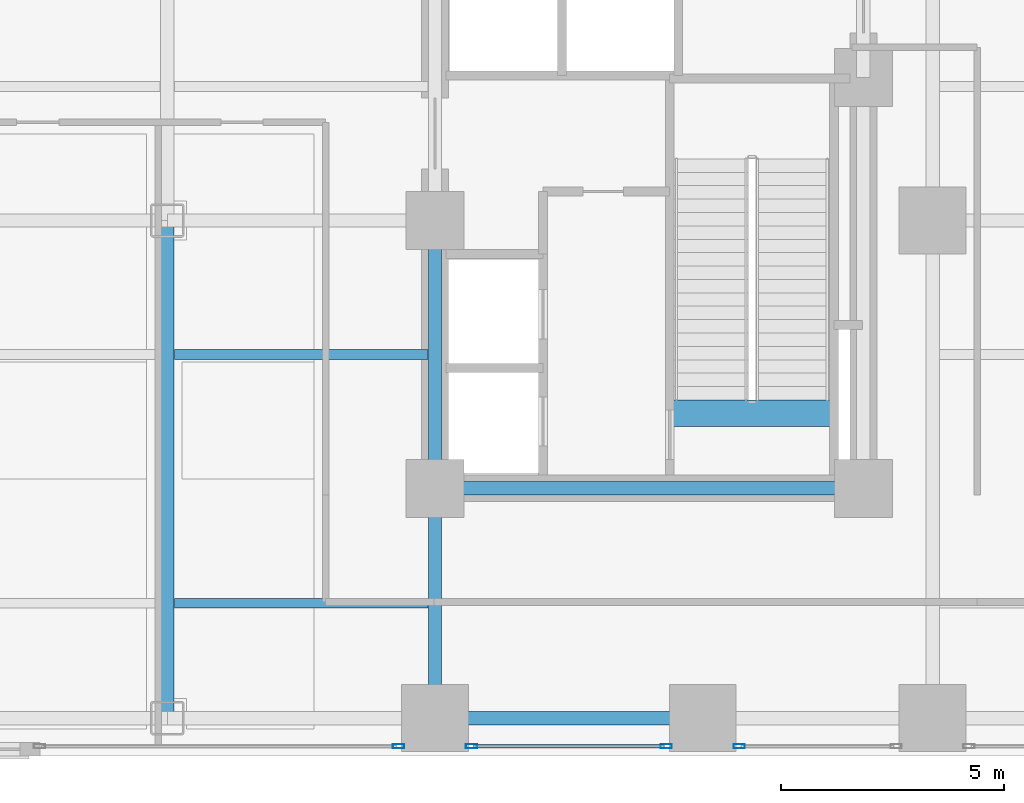
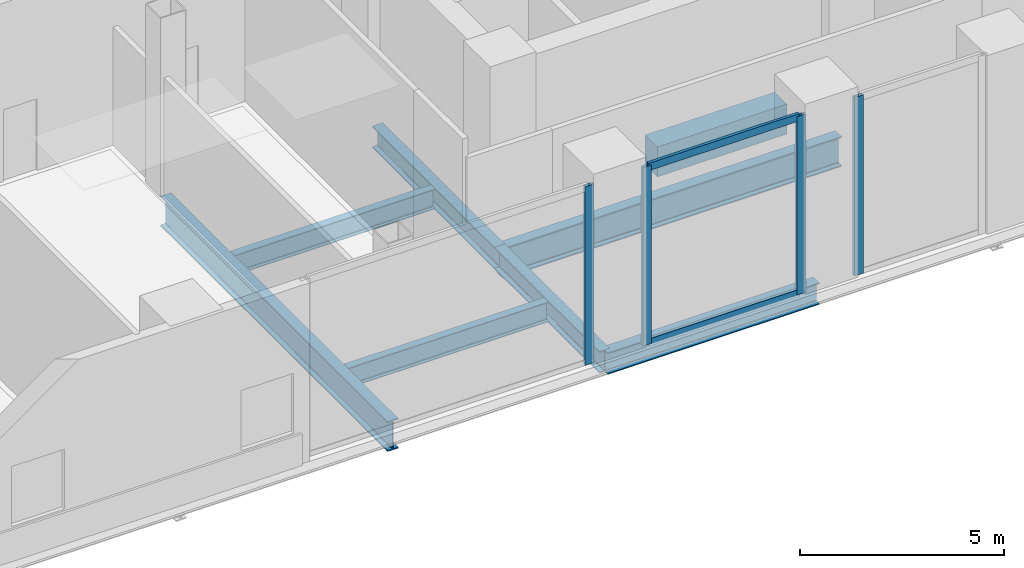
# One storey, part 5 of 27: 8 beams, 6 members, 3 elements without a shape of their own.
"""IFC4 building model written with IfcOpenShell, lengths in metres."""

from ifc_helpers import new_model, si_unit, direction, frame, origin, origin_2d, place, context, subcontext, project, spatial, rectangle, hollow_rectangle, i_section, extrude, material, layer, layer_set, material_profile, profile_set, type_object, element, aggregate, save


model = new_model("IFC4")

# Units and contexts
model_context = context("Model", 3, precision=1e-05, world=origin(), true_north=direction((0.0, 1.0)))
body_context = subcontext(model_context, "Body", "Model", "MODEL_VIEW")
ifc_project = project(units=[si_unit("LENGTHUNIT", "METRE"), si_unit("AREAUNIT", "SQUARE_METRE"), si_unit("VOLUMEUNIT", "CUBIC_METRE"), si_unit("PLANEANGLEUNIT", "RADIAN"), si_unit("MASSUNIT", "GRAM", prefix="KILO"), si_unit("THERMODYNAMICTEMPERATUREUNIT", "KELVIN"), si_unit("POWERUNIT", "WATT")], contexts=[model_context])

# Site, building, storey
site_placement = place(None, origin())
site = spatial("IfcSite", under=ifc_project, at=site_placement, CompositionType="ELEMENT")
building_placement = place(site_placement, origin())
building = spatial("IfcBuilding", under=site, at=building_placement, Name="Svarakhadi Broadcast Tower", CompositionType="ELEMENT")
storey_placement = place(building_placement, frame((0.0, 0.0, 21.89990234375)))
storey = spatial("IfcBuildingStorey", under=building, at=storey_placement, Name="L04", CompositionType="ELEMENT", Elevation=21.89990234375)

# Beams
ifc_material_1 = material(Name="Steel S355J2 (IS 2062 E350C)", Category="steel")
ifc_material_profile_1 = material_profile(ifc_material_1, i_section(OverallWidth=0.219970703125, OverallDepth=0.60009765625, WebThickness=0.011962890625, FlangeThickness=0.01904296875, FilletRadius=0.02392578125, at=origin_2d()), Name="NPB 600x220x122")
ifc_profile_set_1 = profile_set([ifc_material_profile_1], Name="Steel S355J2 (IS 2062 E350C)")
beam_type_1 = type_object("IfcBeamType", Name="Beam_NPB600", PredefinedType="BEAM", material=ifc_profile_set_1)
for number, where, z_axis, x_axis, name in (
    (1, (18.159912109375, 3.425048828125, -0.574951171875), (1.0, 0.0, 0.0), (0.0, 1.0, 0.0), "L04 Secondary Composite Beam SB013"),
    (2, (18.159912109375, 9.0, -0.574951171875), (1.0, 0.0, 0.0), (0.0, 1.0, 0.0), "L04 Secondary Composite Beam SB014"),
):
    element("IfcBeam", number, at=place(storey_placement, frame(where, z_axis=z_axis, x_axis=x_axis)), inside=storey, type_object=beam_type_1, Name=name, PredefinedType="BEAM", context=body_context, shape_type="SweptSolid", body=[
        extrude(i_section(OverallWidth=0.219970703125, OverallDepth=0.60009765625, WebThickness=0.011962890625, FlangeThickness=0.01904296875, FilletRadius=0.02392578125, at=origin_2d()), origin(), (0.0, 0.0, 1.0), 5.68017578125),
    ])

# Curtain wall, member
ifc_material_2 = material(Name="Anodised Bronze Aluminium AA 6063-T6", Category="aluminium")
ifc_layer = layer(ifc_material_2, 0.25)
ifc_layer_set = layer_set([ifc_layer], Name="Anodised Bronze Aluminium AA 6063-T6")
curtain_wall_type = type_object("IfcCurtainWallType", Name="CW_Sys_01", PredefinedType="NOTDEFINED", material=ifc_layer_set)
curtain_wall_1_placement = place(storey_placement, origin())
curtain_wall_1 = element("IfcCurtainWall", 3, at=curtain_wall_1_placement, inside=storey, type_object=curtain_wall_type, Name="L04 South Curtain Wall 11 Bay 3", PredefinedType="NOTDEFINED")
ifc_material_profile_2 = material_profile(ifc_material_2, hollow_rectangle(XDim=0.094970703125, YDim=0.25, WallThickness=0.006103515625, at=origin_2d()), Name="ALU MULLION 250x95x6")
ifc_profile_set_2 = profile_set([ifc_material_profile_2], Name="Anodised Bronze Aluminium AA 6063-T6")
member_type_1 = type_object("IfcMemberType", Name="CW_Sys_01_Mul", PredefinedType="MULLION", material=ifc_profile_set_2)
member_1_placement = place(storey_placement, frame((30.8173828125, 0.219970703125, 0.0), z_axis=(0.0, 0.0, 1.0), x_axis=(0.0, -1.0, 0.0)))
member_1 = element("IfcMember", 4, at=member_1_placement, type_object=member_type_1, Name="CW-01 mullion 2", PredefinedType="MULLION", context=body_context, shape_type="SweptSolid", body=[
    extrude(hollow_rectangle(XDim=0.094970703125, YDim=0.25, WallThickness=0.006103515625, at=origin_2d()), origin(), (0.0, 0.0, 1.0), 5.35009765625),
])
aggregate(curtain_wall_1, [member_1])

# Curtain wall, members
curtain_wall_2_placement = place(storey_placement, origin())
curtain_wall_2 = element("IfcCurtainWall", 5, at=curtain_wall_2_placement, inside=storey, type_object=curtain_wall_type, Name="L04 South Curtain Wall 11 Bay 4", PredefinedType="NOTDEFINED")
member_2_placement = place(storey_placement, frame((29.1826171875, 0.219970703125, 0.0), z_axis=(0.0, 0.0, 1.0), x_axis=(0.0, -1.0, 0.0)))
member_2 = element("IfcMember", 6, at=member_2_placement, type_object=member_type_1, Name="CW-01 mullion 1", PredefinedType="MULLION", context=body_context, shape_type="SweptSolid", body=[
    extrude(hollow_rectangle(XDim=0.094970703125, YDim=0.25, WallThickness=0.006103515625, at=origin_2d()), origin(), (0.0, 0.0, 1.0), 5.35009765625),
])
member_3_placement = place(storey_placement, frame((24.8173828125, 0.219970703125, 0.0), z_axis=(0.0, 0.0, 1.0), x_axis=(0.0, -1.0, 0.0)))
member_3 = element("IfcMember", 7, at=member_3_placement, type_object=member_type_1, Name="CW-01 mullion 2", PredefinedType="MULLION", context=body_context, shape_type="SweptSolid", body=[
    extrude(hollow_rectangle(XDim=0.094970703125, YDim=0.25, WallThickness=0.006103515625, at=origin_2d()), origin(), (0.0, 0.0, 1.0), 5.35009765625),
])

# Curtain wall, member
curtain_wall_3_placement = place(storey_placement, origin())
curtain_wall_3 = element("IfcCurtainWall", 8, at=curtain_wall_3_placement, inside=storey, type_object=curtain_wall_type, Name="L04 South Curtain Wall 11 Bay 5", PredefinedType="NOTDEFINED")
member_4_placement = place(storey_placement, frame((23.1826171875, 0.219970703125, 0.0), z_axis=(0.0, 0.0, 1.0), x_axis=(0.0, -1.0, 0.0)))
member_4 = element("IfcMember", 9, at=member_4_placement, type_object=member_type_1, Name="CW-01 mullion 1", PredefinedType="MULLION", context=body_context, shape_type="SweptSolid", body=[
    extrude(hollow_rectangle(XDim=0.094970703125, YDim=0.25, WallThickness=0.006103515625, at=origin_2d()), origin(), (0.0, 0.0, 1.0), 5.35009765625),
])
aggregate(curtain_wall_3, [member_4])

# Member
ifc_material_profile_3 = material_profile(ifc_material_2, hollow_rectangle(XDim=0.0849609375, YDim=0.219970703125, WallThickness=0.0048828125, at=origin_2d()), Name="ALU TRANSOM 220x85x5")
ifc_profile_set_3 = profile_set([ifc_material_profile_3], Name="Anodised Bronze Aluminium AA 6063-T6")
member_type_2 = type_object("IfcMemberType", Name="CW_Sys_01_Trn", PredefinedType="USERDEFINED", material=ifc_profile_set_3)
member_5_placement = place(storey_placement, frame((29.135009765625, 0.219970703125, 0.04248046875), z_axis=(-1.0, 0.0, 0.0), x_axis=(0.0, -1.0, 0.0)))
member_5 = element("IfcMember", 10, at=member_5_placement, type_object=member_type_2, Name="CW-01 transom 1.1", ObjectType="TRANSOM", PredefinedType="USERDEFINED", context=body_context, shape_type="SweptSolid", body=[
    extrude(hollow_rectangle(XDim=0.0849609375, YDim=0.219970703125, WallThickness=0.0048828125, at=origin_2d()), origin(), (0.0, 0.0, 1.0), 4.27001953125),
])

member_6_placement = place(storey_placement, frame((29.135009765625, 0.219970703125, 5.3076171875), z_axis=(-1.0, 0.0, 0.0), x_axis=(0.0, -1.0, 0.0)))
member_6 = element("IfcMember", 11, at=member_6_placement, type_object=member_type_2, Name="CW-01 transom 1.2", ObjectType="TRANSOM", PredefinedType="USERDEFINED", context=body_context, shape_type="SweptSolid", body=[
    extrude(hollow_rectangle(XDim=0.0849609375, YDim=0.219970703125, WallThickness=0.0048828125, at=origin_2d()), origin(), (0.0, 0.0, 1.0), 4.27001953125),
])

aggregate(curtain_wall_2, [member_2, member_3, member_5, member_6])

# Beams
ifc_material_3 = material(Name="Concrete C50/60 (IS 456 M60)", Category="concrete")
ifc_material_profile_4 = material_profile(ifc_material_3, rectangle(XDim=0.60009765625, YDim=0.89990234375, at=origin_2d()), Name="RC 600x900")
ifc_profile_set_4 = profile_set([ifc_material_profile_4], Name="Concrete C50/60 (IS 456 M60)")
beam_type_2 = type_object("IfcBeamType", Name="Coupling_RC600", PredefinedType="USERDEFINED", material=ifc_profile_set_4)
beam_1_placement = place(storey_placement, frame((29.260009765625, 7.679931640625, -0.449951171875), z_axis=(1.0, 0.0, 0.0), x_axis=(0.0, 1.0, 0.0)))
element("IfcBeam", 12, at=beam_1_placement, inside=storey, type_object=beam_type_2, Name="L04 Stair ST-02 Landing Throat Trimmer Beam CB-01", ObjectType="GIRDER", PredefinedType="USERDEFINED", context=body_context, shape_type="SweptSolid", body=[
    extrude(rectangle(XDim=0.60009765625, YDim=0.89990234375, at=origin_2d()), origin(), (0.0, 0.0, 1.0), 3.679931640625),
])
ifc_material_profile_5 = material_profile(ifc_material_1, i_section(OverallWidth=0.300048828125, OverallDepth=0.64990234375, WebThickness=0.01611328125, FlangeThickness=0.031005859375, FilletRadius=0.027099609375, at=origin_2d()), Name="WPB 650x300x225")
ifc_profile_set_5 = profile_set([ifc_material_profile_5], Name="Steel S355J2 (IS 2062 E350C)")
beam_type_3 = type_object("IfcBeamType", Name="Girder_WPB650", PredefinedType="USERDEFINED", material=ifc_profile_set_5)
beam_2_placement = place(storey_placement, frame((24.0, 0.85009765625, -0.599853515625), z_axis=(1.0, 0.0, 0.0), x_axis=(0.0, 1.0, 0.0)))
element("IfcBeam", 13, at=beam_2_placement, inside=storey, type_object=beam_type_3, Name="L04 Primary E-W Girder G007", ObjectType="GIRDER", PredefinedType="USERDEFINED", context=body_context, shape_type="SweptSolid", body=[
    extrude(i_section(OverallWidth=0.300048828125, OverallDepth=0.64990234375, WebThickness=0.01611328125, FlangeThickness=0.031005859375, FilletRadius=0.027099609375, at=origin_2d()), origin(), (0.0, 0.0, 1.0), 6.0),
])
beam_3_placement = place(storey_placement, frame((24.0, 0.85009765625, -0.599853515625), z_axis=(0.0, 1.0, 0.0), x_axis=(-1.0, 0.0, 0.0)))
element("IfcBeam", 14, at=beam_3_placement, inside=storey, type_object=beam_type_3, Name="L04 Primary N-S Girder G064", ObjectType="GIRDER", PredefinedType="USERDEFINED", context=body_context, shape_type="SweptSolid", body=[
    extrude(i_section(OverallWidth=0.300048828125, OverallDepth=0.64990234375, WebThickness=0.01611328125, FlangeThickness=0.031005859375, FilletRadius=0.027099609375, at=origin_2d()), origin(), (0.0, 0.0, 1.0), 5.14990234375),
])
beam_4_placement = place(storey_placement, frame((24.0, 6.0, -0.599853515625), z_axis=(0.0, 1.0, 0.0), x_axis=(-1.0, 0.0, 0.0)))
element("IfcBeam", 15, at=beam_4_placement, inside=storey, type_object=beam_type_3, Name="L04 Primary N-S Girder G065", ObjectType="GIRDER", PredefinedType="USERDEFINED", context=body_context, shape_type="SweptSolid", body=[
    extrude(i_section(OverallWidth=0.300048828125, OverallDepth=0.64990234375, WebThickness=0.01611328125, FlangeThickness=0.031005859375, FilletRadius=0.027099609375, at=origin_2d()), origin(), (0.0, 0.0, 1.0), 6.0),
])
ifc_material_4 = material(Name="Steel S460ML (IS 2062 E450BR)", Category="steel")
ifc_material_profile_6 = material_profile(ifc_material_4, i_section(OverallWidth=0.300048828125, OverallDepth=0.89990234375, WebThickness=0.0185546875, FlangeThickness=0.034912109375, FilletRadius=0.030029296875, at=origin_2d()), Name="WPB 900x300x291")
ifc_profile_set_6 = profile_set([ifc_material_profile_6], Name="Steel S460ML (IS 2062 E450BR)")
beam_type_4 = type_object("IfcBeamType", Name="Girder_WPB900", PredefinedType="USERDEFINED", material=ifc_profile_set_6)
beam_5_placement = place(storey_placement, frame((24.0, 6.0, -0.724853515625), z_axis=(1.0, 0.0, 0.0), x_axis=(0.0, 1.0, 0.0)))
element("IfcBeam", 16, at=beam_5_placement, inside=storey, type_object=beam_type_4, Name="L04 Primary E-W Girder G013", ObjectType="GIRDER", PredefinedType="USERDEFINED", context=body_context, shape_type="SweptSolid", body=[
    extrude(i_section(OverallWidth=0.300048828125, OverallDepth=0.89990234375, WebThickness=0.0185546875, FlangeThickness=0.034912109375, FilletRadius=0.030029296875, at=origin_2d()), origin(), (0.0, 0.0, 1.0), 9.60009765625),
])
beam_6_placement = place(storey_placement, frame((18.0, 0.85009765625, -0.724853515625), z_axis=(0.0, 1.0, 0.0), x_axis=(-1.0, 0.0, 0.0)))
element("IfcBeam", 17, at=beam_6_placement, inside=storey, type_object=beam_type_4, Name="L04 Primary N-S Girder G059", ObjectType="GIRDER", PredefinedType="USERDEFINED", context=body_context, shape_type="SweptSolid", body=[
    extrude(i_section(OverallWidth=0.300048828125, OverallDepth=0.89990234375, WebThickness=0.0185546875, FlangeThickness=0.034912109375, FilletRadius=0.030029296875, at=origin_2d()), origin(), (0.0, 0.0, 1.0), 11.14990234375),
])

save(model, "model.ifc")
